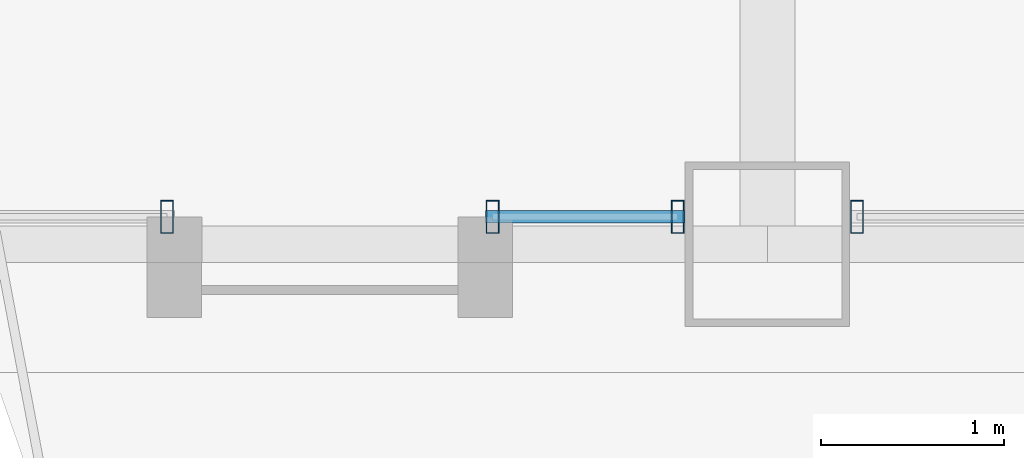
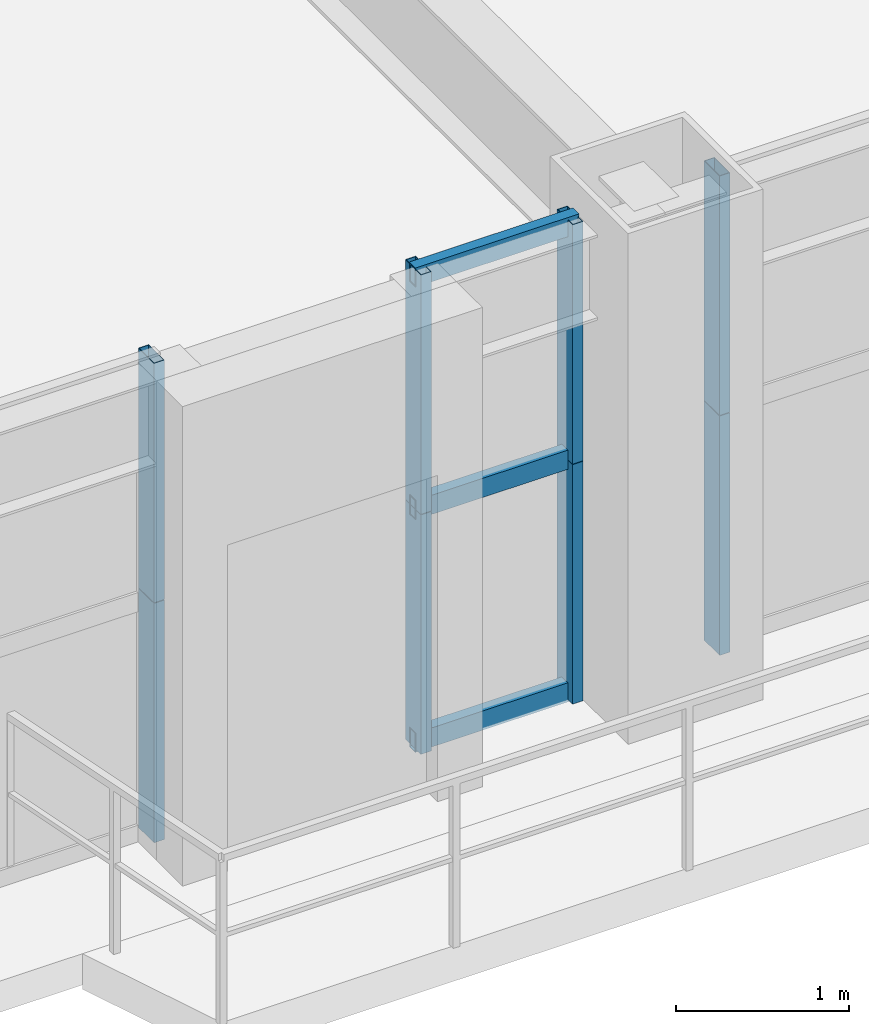
# One storey, part 8 of 45: 11 members, 3 elements without a shape of their own.
"""IFC4 building model written with IfcOpenShell, lengths in metres."""

import ifcopenshell
import ifcopenshell.guid

model = None  # the IFC model being written
_history = None  # IfcOwnerHistory: only IFC2X3 demands one
_inside = {}  # id of a spatial element -> (the spatial element, [elements in it])
_under = {}  # id of a project, library or spatial element -> (it, [spatial elements below it])
_declared = {}  # id of a project -> (the project, [libraries it declares])
_typed = {}  # id of a type object -> (the type object, [elements of that type])
_made_of = {}  # id of a material, layer set ... -> (it, [elements and type objects made of it])


def new_model(schema):
    """Start an empty IFC model of exactly this schema.

    Asked for "IFC4X3", IfcOpenShell would pick the latest addendum, in which some entities
    have other attributes; the version numbers below select the first issue.
    IFC2X3 requires an IfcOwnerHistory on every rooted entity: one is made here for all.
    """
    global model, _history
    if schema == "IFC4X3":
        model = ifcopenshell.file(schema_version=(4, 3, 0, 0))
    else:
        model = ifcopenshell.file(schema=schema)
    _inside.clear()
    _under.clear()
    _declared.clear()
    _typed.clear()
    _made_of.clear()
    _history = None
    if model.schema == "IFC2X3":
        org = make("IfcOrganization", Name="unknown")
        user = make(
            "IfcPersonAndOrganization",
            ThePerson=make("IfcPerson", FamilyName="unknown"),
            TheOrganization=org,
        )
        app = make(
            "IfcApplication",
            ApplicationDeveloper=org,
            Version="unknown",
            ApplicationFullName="unknown",
            ApplicationIdentifier="unknown",
        )
        _history = make(
            "IfcOwnerHistory",
            OwningUser=user,
            OwningApplication=app,
            ChangeAction="ADDED",
            CreationDate=0,
        )
    return model


def make(cls, **values):
    """One entity of the class cls with the attributes given. An attribute that is None is left unset."""
    return model.create_entity(
        cls, **{name: value for name, value in values.items() if value is not None}
    )


def rooted(cls, **values):
    """An entity with a GlobalId (a new one), such as an element, a storey or a relation."""
    return make(cls, GlobalId=ifcopenshell.guid.new(), OwnerHistory=_history, **values)


def si_unit(unit_type, name, prefix=None):
    """IfcSIUnit, for example si_unit("LENGTHUNIT", "METRE", prefix="MILLI")."""
    return make("IfcSIUnit", UnitType=unit_type, Prefix=prefix, Name=name)


def assignment(units):
    """IfcUnitAssignment: the units of a project."""
    return None if units is None else make("IfcUnitAssignment", Units=units)


def point(xyz):
    """IfcCartesianPoint."""
    return None if xyz is None else make("IfcCartesianPoint", Coordinates=xyz)


def direction(xyz):
    """IfcDirection."""
    return None if xyz is None else make("IfcDirection", DirectionRatios=xyz)


def frame(location, z_axis=None, x_axis=None):
    """IfcAxis2Placement3D, a coordinate frame: its origin and axes. An axis left out is left unset."""
    return make(
        "IfcAxis2Placement3D",
        Location=point(location),
        Axis=direction(z_axis),
        RefDirection=direction(x_axis),
    )


def frame_2d(location, x_axis=None):
    """IfcAxis2Placement2D, a coordinate frame in the plane: its origin and x axis."""
    return make(
        "IfcAxis2Placement2D", Location=point(location), RefDirection=direction(x_axis)
    )


def origin():
    """The frame at (0, 0, 0) with its axes left unset."""
    return frame((0.0, 0.0, 0.0))


def origin_2d():
    """The frame at (0, 0) in the plane with its x axis left unset."""
    return frame_2d((0.0, 0.0))


def place(relative_to, where):
    """IfcLocalPlacement: puts the frame where relative to a parent placement (None: the world)."""
    return make(
        "IfcLocalPlacement", PlacementRelTo=relative_to, RelativePlacement=where
    )


def context(
    kind, dimensions, precision=None, world=None, true_north=None, identifier=None
):
    """IfcGeometricRepresentationContext, for example the 3D "Model" context."""
    return make(
        "IfcGeometricRepresentationContext",
        ContextIdentifier=identifier,
        ContextType=kind,
        CoordinateSpaceDimension=dimensions,
        Precision=precision,
        WorldCoordinateSystem=world,
        TrueNorth=true_north,
    )


def subcontext(parent, identifier, kind, view, scale=None):
    """IfcGeometricRepresentationSubContext, for example "Body" below "Model"."""
    return make(
        "IfcGeometricRepresentationSubContext",
        ContextIdentifier=identifier,
        ContextType=kind,
        ParentContext=parent,
        TargetScale=scale,
        TargetView=view,
    )


def project(units=None, contexts=None):
    """IfcProject with its units and contexts."""
    return rooted(
        "IfcProject",
        Name="project",
        RepresentationContexts=contexts,
        UnitsInContext=assignment(units),
    )


def spatial(cls, under=None, at=None, **own):
    """A site, building, storey or space (cls), placed at a placement, below another one or the project."""
    s = rooted(cls, ObjectPlacement=at, **own)
    if under is not None:
        _under.setdefault(under.id(), (under, []))[1].append(s)
    return s


def profile(cls, at=None, kind="AREA", **sizes):
    """A parametric profile (cls). Its sizes go by their IFC names, for example OverallWidth=200.0."""
    return make(cls, ProfileType=kind, Position=at, **sizes)


def hollow_rectangle(**sizes):
    """IfcRectangleHollowProfileDef."""
    return profile("IfcRectangleHollowProfileDef", **sizes)


def extrude(swept, where, along, depth):
    """IfcExtrudedAreaSolid: the profile swept, set in the frame where, extruded along a direction by depth."""
    return make(
        "IfcExtrudedAreaSolid",
        SweptArea=swept,
        Position=where,
        ExtrudedDirection=direction(along),
        Depth=depth,
    )


def shape(context_of_items, identifier, shape_type, items):
    """IfcShapeRepresentation: the items that make up one representation, for example the "Body"."""
    return make(
        "IfcShapeRepresentation",
        ContextOfItems=context_of_items,
        RepresentationIdentifier=identifier,
        RepresentationType=shape_type,
        Items=items,
    )


def source(mapping_origin, context_of_items, identifier, shape_type, items):
    """IfcRepresentationMap: a shape defined once, which mapped items show again and again."""
    return make(
        "IfcRepresentationMap",
        MappingOrigin=mapping_origin,
        MappedRepresentation=shape(context_of_items, identifier, shape_type, items),
    )


def transform(
    local_origin,
    x_axis=None,
    y_axis=None,
    z_axis=None,
    scale=None,
    scale2=None,
    scale3=None,
    uniform=True,
):
    """IfcCartesianTransformationOperator3D, or its non-uniform kind. x_axis, y_axis, z_axis: its Axis1, 2, 3."""
    if uniform:
        return make(
            "IfcCartesianTransformationOperator3D",
            Axis1=direction(x_axis),
            Axis2=direction(y_axis),
            LocalOrigin=point(local_origin),
            Scale=scale,
            Axis3=direction(z_axis),
        )
    return make(
        "IfcCartesianTransformationOperator3DnonUniform",
        Axis1=direction(x_axis),
        Axis2=direction(y_axis),
        LocalOrigin=point(local_origin),
        Scale=scale,
        Axis3=direction(z_axis),
        Scale2=scale2,
        Scale3=scale3,
    )


def mapped(mapping_source, mapping_target):
    """IfcMappedItem: shows the shape of a source again, moved by a transform."""
    return make(
        "IfcMappedItem", MappingSource=mapping_source, MappingTarget=mapping_target
    )


def material(Name=None, Category=None):
    """IfcMaterial."""
    return make("IfcMaterial", Name=Name, Category=Category)


def layer(
    of_material, thickness, ventilated=None, Name=None, Category=None, Priority=None
):
    """IfcMaterialLayer: one layer of a wall or slab, of a material (None: an air gap)."""
    return make(
        "IfcMaterialLayer",
        Material=of_material,
        LayerThickness=thickness,
        IsVentilated=ventilated,
        Name=Name,
        Category=Category,
        Priority=Priority,
    )


def layer_set(layers, Name=None):
    """IfcMaterialLayerSet."""
    return make("IfcMaterialLayerSet", MaterialLayers=layers, LayerSetName=Name)


def material_profile(
    of_material, cross_section, Name=None, Category=None, Priority=None
):
    """IfcMaterialProfile: a cross section and its material."""
    return make(
        "IfcMaterialProfile",
        Name=Name,
        Material=of_material,
        Profile=cross_section,
        Priority=Priority,
        Category=Category,
    )


def profile_set(profiles, Name=None, composite=None):
    """IfcMaterialProfileSet."""
    return make(
        "IfcMaterialProfileSet",
        Name=Name,
        MaterialProfiles=profiles,
        CompositeProfile=composite,
    )


def made_of(thing, what):
    """Note that an element or type object is made of a material, layer set ...; save() writes the relation."""
    if what is not None:
        _made_of.setdefault(what.id(), (what, []))[1].append(thing)
    return thing


def type_object(cls, material=None, **own):
    """A type object (cls), such as IfcWallType, which elements share."""
    return made_of(rooted(cls, **own), material)


def element(
    cls,
    number,
    at=None,
    inside=None,
    cuts=None,
    type_object=None,
    material=None,
    context=None,
    identifier="Body",
    shape_type=None,
    held_by="IfcProductDefinitionShape",
    body=None,
    shapes=None,
    **own,
):
    """One element of the class cls, such as IfcWall. Its Tag is "e" and its number.

    at: its placement. inside: the storey or other place that contains it. cuts: it is an
    opening in that element (IfcRelVoidsElement). A single representation is given by context,
    identifier, shape_type and body (its items); several are given by shapes. held_by: the class
    of the entity that holds the representations. save() writes the other relations.
    """
    e = rooted(cls, Tag="e%d" % number, ObjectPlacement=at, **own)
    if body is not None:
        shapes = [shape(context, identifier, shape_type, body)]
    if shapes is not None:
        e.Representation = make(held_by, Representations=shapes)
    if inside is not None:
        _inside.setdefault(inside.id(), (inside, []))[1].append(e)
    if cuts is not None:
        rooted(
            "IfcRelVoidsElement", RelatingBuildingElement=cuts, RelatedOpeningElement=e
        )
    if type_object is not None:
        _typed.setdefault(type_object.id(), (type_object, []))[1].append(e)
    return made_of(e, material)


def aggregate(whole, parts):
    """IfcRelAggregates: a whole, such as a stair, and the parts it consists of."""
    return rooted("IfcRelAggregates", RelatingObject=whole, RelatedObjects=parts)


def save(model, path):
    """Write the relations noted so far, then the file.

    IfcRelAggregates (storeys below a building ...), IfcRelContainedInSpatialStructure (elements
    in a storey), IfcRelDefinesByType, IfcRelAssociatesMaterial and IfcRelDeclares: one each for
    every whole, place, type object, material and project.
    """
    for whole, parts in _under.values():
        aggregate(whole, parts)
    for where, things in _inside.values():
        rooted(
            "IfcRelContainedInSpatialStructure",
            RelatedElements=things,
            RelatingStructure=where,
        )
    for kind, things in _typed.values():
        rooted("IfcRelDefinesByType", RelatedObjects=things, RelatingType=kind)
    for what, things in _made_of.values():
        rooted("IfcRelAssociatesMaterial", RelatedObjects=things, RelatingMaterial=what)
    for by, libraries in _declared.values():
        rooted("IfcRelDeclares", RelatingContext=by, RelatedDefinitions=libraries)
    model.write(path)


model = new_model("IFC4")

# Units and contexts
model_context = context("Model", 3, precision=1e-05, world=origin(), true_north=direction((0.0, 1.0)))
body_context = subcontext(model_context, "Body", "Model", "MODEL_VIEW")
ifc_project = project(units=[si_unit("LENGTHUNIT", "METRE"), si_unit("AREAUNIT", "SQUARE_METRE"), si_unit("VOLUMEUNIT", "CUBIC_METRE"), si_unit("PLANEANGLEUNIT", "RADIAN"), si_unit("MASSUNIT", "GRAM", prefix="KILO"), si_unit("THERMODYNAMICTEMPERATUREUNIT", "KELVIN"), si_unit("POWERUNIT", "WATT")], contexts=[model_context])

# Site, building, storey
site_placement = place(None, origin())
site = spatial("IfcSite", under=ifc_project, at=site_placement, CompositionType="ELEMENT")
building_placement = place(site_placement, origin())
building = spatial("IfcBuilding", under=site, at=building_placement, Name="Yuzanri Waterfront Tower", CompositionType="ELEMENT")
storey_placement = place(building_placement, frame((0.0, 0.0, 49.60009765625)))
storey = spatial("IfcBuildingStorey", under=building, at=storey_placement, Name="L12", CompositionType="ELEMENT", Elevation=49.60009765625)

# Curtain wall, members
ifc_material_1 = material(Name="Anodized Architectural Bronze", Category="metal")
ifc_layer = layer(ifc_material_1, 0.159912109375)
ifc_layer_set = layer_set([ifc_layer], Name="Anodized Architectural Bronze")
curtain_wall_type = type_object("IfcCurtainWallType", Name="Anodized Bronze Hotel Lower-Tier Recessed Unitized Curtain Wall 8100", PredefinedType="NOTDEFINED", material=ifc_layer_set)
curtain_wall_1_placement = place(storey_placement, origin())
curtain_wall_1 = element("IfcCurtainWall", 1, at=curtain_wall_1_placement, inside=storey, type_object=curtain_wall_type, Name="L12 Curtain Wall CW-L12-SL1", PredefinedType="NOTDEFINED")
ifc_material_2 = material(Name="Anodized Architectural Bronze", Category="metal")
ifc_material_profile_1 = material_profile(ifc_material_2, hollow_rectangle(XDim=0.070068359375, YDim=0.179931640625, WallThickness=0.00390625, at=origin_2d()), Name="CWM 70x180")
ifc_profile_set_1 = profile_set([ifc_material_profile_1], Name="Anodized Architectural Bronze")
member_type_1 = type_object("IfcMemberType", Name="Anodized Bronze Standard Curtain-Wall Mullion 70x180", PredefinedType="MULLION", material=ifc_profile_set_1)
shared_shape_1 = source(origin(), body_context, "Body", "SweptSolid", [
    extrude(hollow_rectangle(XDim=0.070068359375, YDim=0.179931640625, WallThickness=0.00390625, at=origin_2d()), origin(), (0.0, 0.0, 1.0), 1.68798828125),
])
member_1_placement = place(storey_placement, frame((33.718017578125, 0.85009765625, 0.0), z_axis=(0.0, 0.0, 1.0), x_axis=(1.0, 0.0, 0.0)))
member_1 = element("IfcMember", 2, at=member_1_placement, type_object=member_type_1, Name="CW-L12-SL1 Lower Mullion 02", PredefinedType="MULLION", context=body_context, shape_type="MappedRepresentation", body=[
    mapped(shared_shape_1, transform((0.0, 0.0, 0.0), scale=1.0)),
])
member_2_placement = place(storey_placement, frame((33.718017578125, 0.85009765625, 1.69189453125), z_axis=(0.0, 0.0, 1.0), x_axis=(1.0, 0.0, 0.0)))
member_2 = element("IfcMember", 3, at=member_2_placement, type_object=member_type_1, Name="CW-L12-SL1 Upper Mullion 02", PredefinedType="MULLION", context=body_context, shape_type="MappedRepresentation", body=[
    mapped(shared_shape_1, transform((0.0, 0.0, 0.0), scale=1.0)),
])
aggregate(curtain_wall_1, [member_1, member_2])

curtain_wall_2_placement = place(storey_placement, origin())
curtain_wall_2 = element("IfcCurtainWall", 4, at=curtain_wall_2_placement, inside=storey, type_object=curtain_wall_type, Name="L12 Curtain Wall CW-L12-SL2", PredefinedType="NOTDEFINED")
member_3_placement = place(storey_placement, frame((35.498046875, 0.85009765625, 0.0), z_axis=(0.0, 0.0, 1.0), x_axis=(1.0, 0.0, 0.0)))
member_3 = element("IfcMember", 5, at=member_3_placement, type_object=member_type_1, Name="CW-L12-SL2 Lower Mullion 00", PredefinedType="MULLION", context=body_context, shape_type="MappedRepresentation", body=[
    mapped(shared_shape_1, transform((0.0, 0.0, 0.0), scale=1.0)),
])
member_4_placement = place(storey_placement, frame((35.498046875, 0.85009765625, 1.69189453125), z_axis=(0.0, 0.0, 1.0), x_axis=(1.0, 0.0, 0.0)))
member_4 = element("IfcMember", 6, at=member_4_placement, type_object=member_type_1, Name="CW-L12-SL2 Upper Mullion 00", PredefinedType="MULLION", context=body_context, shape_type="MappedRepresentation", body=[
    mapped(shared_shape_1, transform((0.0, 0.0, 0.0), scale=1.0)),
])
member_5_placement = place(storey_placement, frame((36.510009765625, 0.85009765625, 0.0), z_axis=(0.0, 0.0, 1.0), x_axis=(1.0, 0.0, 0.0)))
member_5 = element("IfcMember", 7, at=member_5_placement, type_object=member_type_1, Name="CW-L12-SL2 Lower Mullion 01", PredefinedType="MULLION", context=body_context, shape_type="MappedRepresentation", body=[
    mapped(shared_shape_1, transform((0.0, 0.0, 0.0), scale=1.0)),
])
member_6_placement = place(storey_placement, frame((36.510009765625, 0.85009765625, 1.69189453125), z_axis=(0.0, 0.0, 1.0), x_axis=(1.0, 0.0, 0.0)))
member_6 = element("IfcMember", 8, at=member_6_placement, type_object=member_type_1, Name="CW-L12-SL2 Upper Mullion 01", PredefinedType="MULLION", context=body_context, shape_type="MappedRepresentation", body=[
    mapped(shared_shape_1, transform((0.0, 0.0, 0.0), scale=1.0)),
])

curtain_wall_3_placement = place(storey_placement, origin())
curtain_wall_3 = element("IfcCurtainWall", 9, at=curtain_wall_3_placement, inside=storey, type_object=curtain_wall_type, Name="L12 Curtain Wall CW-L12-SR", PredefinedType="NOTDEFINED")
member_7_placement = place(storey_placement, frame((37.489990234375, 0.85009765625, 0.0), z_axis=(0.0, 0.0, 1.0), x_axis=(1.0, 0.0, 0.0)))
member_7 = element("IfcMember", 10, at=member_7_placement, type_object=member_type_1, Name="CW-L12-SR Lower Mullion 00", PredefinedType="MULLION", context=body_context, shape_type="MappedRepresentation", body=[
    mapped(shared_shape_1, transform((0.0, 0.0, 0.0), scale=1.0)),
])
member_8_placement = place(storey_placement, frame((37.489990234375, 0.85009765625, 1.69189453125), z_axis=(0.0, 0.0, 1.0), x_axis=(1.0, 0.0, 0.0)))
member_8 = element("IfcMember", 11, at=member_8_placement, type_object=member_type_1, Name="CW-L12-SR Upper Mullion 00", PredefinedType="MULLION", context=body_context, shape_type="MappedRepresentation", body=[
    mapped(shared_shape_1, transform((0.0, 0.0, 0.0), scale=1.0)),
])
aggregate(curtain_wall_3, [member_7, member_8])

# Member
ifc_material_3 = material(Name="Anodized Architectural Bronze", Category="metal")
ifc_material_profile_2 = material_profile(ifc_material_3, hollow_rectangle(XDim=0.070068359375, YDim=0.135009765625, WallThickness=0.00341796875, at=origin_2d()), Name="CWT 70x135")
ifc_profile_set_2 = profile_set([ifc_material_profile_2], Name="Anodized Architectural Bronze")
member_type_2 = type_object("IfcMemberType", Name="Anodized Bronze Standard Curtain-Wall Transom 70x135", PredefinedType="USERDEFINED", material=ifc_profile_set_2)
shared_shape_2 = source(origin(), body_context, "Body", "SweptSolid", [
    extrude(hollow_rectangle(XDim=0.070068359375, YDim=0.135009765625, WallThickness=0.00341796875, at=origin_2d()), origin(), (0.0, 0.0, 1.0), 1.092041015625),
])
member_9_placement = place(storey_placement, frame((35.4580078125, 0.85009765625, 0.0498046875), z_axis=(1.0, 0.0, 0.0), x_axis=(0.0, 1.0, 0.0)))
member_9 = element("IfcMember", 12, at=member_9_placement, type_object=member_type_2, Name="CW-L12-SL2 Transom 1", ObjectType="TRANSOM", PredefinedType="USERDEFINED", context=body_context, shape_type="MappedRepresentation", body=[
    mapped(shared_shape_2, transform((0.0, 0.0, 0.0), scale=1.0)),
])

member_10_placement = place(storey_placement, frame((35.4580078125, 0.85009765625, 1.68994140625), z_axis=(1.0, 0.0, 0.0), x_axis=(0.0, 1.0, 0.0)))
member_10 = element("IfcMember", 13, at=member_10_placement, type_object=member_type_2, Name="CW-L12-SL2 Transom 2", ObjectType="TRANSOM", PredefinedType="USERDEFINED", context=body_context, shape_type="MappedRepresentation", body=[
    mapped(shared_shape_2, transform((0.0, 0.0, 0.0), scale=1.0)),
])

member_11_placement = place(storey_placement, frame((35.4580078125, 0.85009765625, 3.329833984375), z_axis=(1.0, 0.0, 0.0), x_axis=(0.0, 1.0, 0.0)))
member_11 = element("IfcMember", 14, at=member_11_placement, type_object=member_type_2, Name="CW-L12-SL2 Transom 3", ObjectType="TRANSOM", PredefinedType="USERDEFINED", context=body_context, shape_type="MappedRepresentation", body=[
    mapped(shared_shape_2, transform((0.0, 0.0, 0.0), scale=1.0)),
])

aggregate(curtain_wall_2, [member_3, member_4, member_5, member_6, member_9, member_10, member_11])

save(model, "model.ifc")
